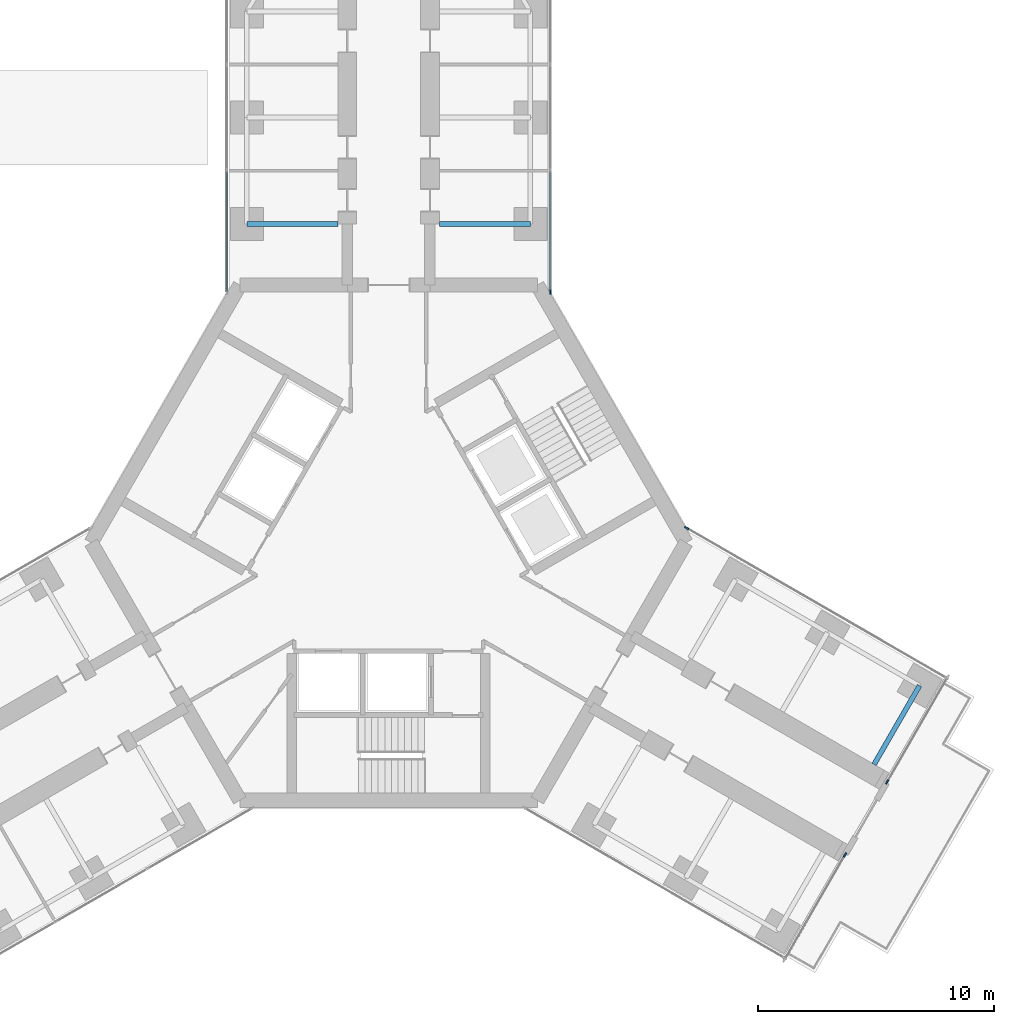
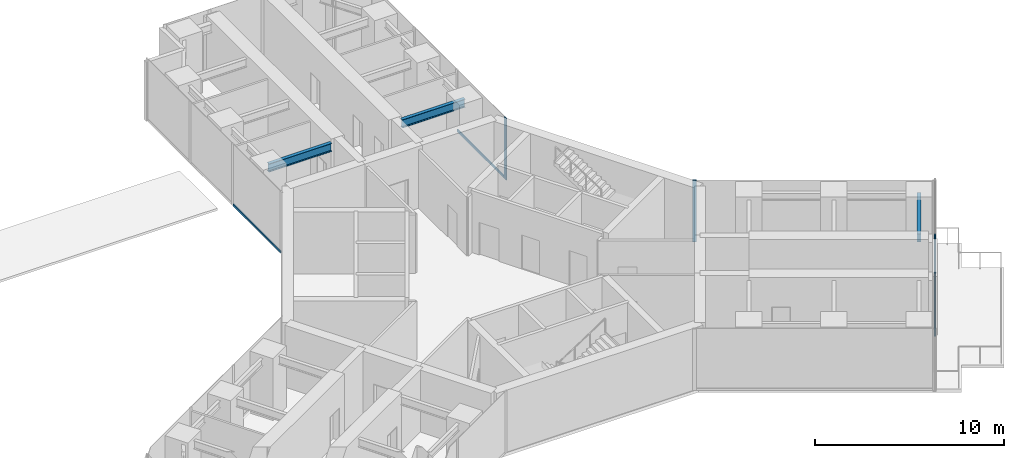
# One storey, part 10 of 22: 6 members, 3 beams, 5 elements without a shape of their own.
"""IFC4 building model written with IfcOpenShell, lengths in metres."""

from ifc_helpers import new_model, si_unit, direction, frame, origin, origin_2d, place, context, subcontext, project, spatial, rectangle, i_section, extrude, material, material_profile, profile_set, type_object, element, aggregate, save


model = new_model("IFC4")

# Units and contexts
model_context = context("Model", 3, precision=1e-05, world=origin(), true_north=direction((0.0, 1.0)))
body_context = subcontext(model_context, "Body", "Model", "MODEL_VIEW")
ifc_project = project(units=[si_unit("LENGTHUNIT", "METRE"), si_unit("AREAUNIT", "SQUARE_METRE"), si_unit("VOLUMEUNIT", "CUBIC_METRE"), si_unit("PLANEANGLEUNIT", "RADIAN"), si_unit("MASSUNIT", "GRAM", prefix="KILO")], contexts=[model_context])

# Site, building, storey
site_placement = place(None, origin())
site = spatial("IfcSite", under=ifc_project, at=site_placement, CompositionType="ELEMENT")
building_placement = place(site_placement, origin())
building = spatial("IfcBuilding", under=site, at=building_placement, Name="Upepo Twin Towers", CompositionType="ELEMENT")
storey_placement = place(building_placement, frame((0.0, 0.0, 97.5)))
storey = spatial("IfcBuildingStorey", under=building, at=storey_placement, Name="L23", CompositionType="ELEMENT", Elevation=97.5)

# Beams
ifc_material_1 = material(Name="Steel S355", Category="steel")
ifc_material_profile_1 = material_profile(ifc_material_1, i_section(OverallWidth=0.209228515625, OverallDepth=0.533203125, WebThickness=0.010009765625, FlangeThickness=0.015625, FilletRadius=0.0126953125, at=origin_2d()), Name="UB 533x210x92")
ifc_profile_set_1 = profile_set([ifc_material_profile_1], Name="Steel S355")
beam_type = type_object("IfcBeamType", Name="Beam UB 533x210x92", PredefinedType="BEAM", material=ifc_profile_set_1)
for number, where, z_axis, x_axis, name in (
    (1, (52.5, -4.5, 3.533447265625), (1.0, 0.0, 0.0), (0.0, 1.0, 0.0), "T2 girder AL at 13.5"),
    (2, (64.5, -4.5, 3.533447265625), (-1.0, 0.0, 0.0), (0.0, -1.0, 0.0), "T2 girder AR at 13.5"),
):
    element("IfcBeam", number, at=place(storey_placement, frame(where, z_axis=z_axis, x_axis=x_axis)), inside=storey, type_object=beam_type, Name=name, PredefinedType="BEAM", context=body_context, shape_type="SweptSolid", body=[
        extrude(i_section(OverallWidth=0.209228515625, OverallDepth=0.533203125, WebThickness=0.010009765625, FlangeThickness=0.015625, FilletRadius=0.0126953125, at=origin_2d()), origin(), (0.0, 0.0, 1.0), 3.85009765625),
    ])
beam_placement = place(storey_placement, frame((80.985595703125, -24.053955078125, 3.533447265625), z_axis=(-0.500033517596, -0.866006051527, 0.0), x_axis=(0.866006051527, -0.500033517596, 0.0)))
element("IfcBeam", 3, at=beam_placement, inside=storey, type_object=beam_type, Name="T2 girder CL at 22.5", PredefinedType="BEAM", context=body_context, shape_type="SweptSolid", body=[
    extrude(i_section(OverallWidth=0.209228515625, OverallDepth=0.533203125, WebThickness=0.010009765625, FlangeThickness=0.015625, FilletRadius=0.0126953125, at=origin_2d()), origin(), (0.0, 0.0, 1.0), 3.849853515625),
])

# Curtain wall, member
ifc_material_2 = material(Name="Aluminium and fritted glass", Category="aluminium")
curtain_wall_type = type_object("IfcCurtainWallType", Name="Tower curtain wall TW2, fritted glass", PredefinedType="NOTDEFINED", material=ifc_material_2)
curtain_wall_1_placement = place(storey_placement, origin())
curtain_wall_1 = element("IfcCurtainWall", 4, at=curtain_wall_1_placement, inside=storey, type_object=curtain_wall_type, Name="T2 L23 wing A flank R curtain wall", PredefinedType="NOTDEFINED")
ifc_material_3 = material(Name="Aluminium mullion", Category="aluminium")
ifc_material_profile_2 = material_profile(ifc_material_3, rectangle(XDim=0.06494140625, YDim=0.199951171875, at=origin_2d()), Name="MULLION 65x200")
ifc_profile_set_2 = profile_set([ifc_material_profile_2], Name="Aluminium mullion")
member_type_1 = type_object("IfcMemberType", Name="Mullion 65x200 TW2", PredefinedType="MULLION", material=ifc_profile_set_2)
member_1_placement = place(storey_placement, frame((65.35009765625, -7.38037109375, 0.0), z_axis=(0.0, 0.0, 1.0), x_axis=(1.0, 0.0, 0.0)))
member_1 = element("IfcMember", 5, at=member_1_placement, type_object=member_type_1, Name="T2 L23 wing A flank R curtain wall mullion 4", PredefinedType="MULLION", context=body_context, shape_type="SweptSolid", body=[
    extrude(rectangle(XDim=0.06494140625, YDim=0.199951171875, at=origin_2d()), origin(), (0.0, 0.0, 1.0), 4.0),
])

curtain_wall_2_placement = place(storey_placement, origin())
curtain_wall_2 = element("IfcCurtainWall", 6, at=curtain_wall_2_placement, inside=storey, type_object=curtain_wall_type, Name="T2 L23 wing C flank L curtain wall", PredefinedType="NOTDEFINED")
member_2_placement = place(storey_placement, frame((71.121826171875, -17.37744140625, 0.0), z_axis=(0.0, 0.0, 1.0), x_axis=(0.50000000792, 0.866025399212, 0.0)))
member_2 = element("IfcMember", 7, at=member_2_placement, type_object=member_type_1, Name="T2 L23 wing C flank L curtain wall mullion 1", PredefinedType="MULLION", context=body_context, shape_type="SweptSolid", body=[
    extrude(rectangle(XDim=0.06494140625, YDim=0.199951171875, at=origin_2d()), origin(), (0.0, 0.0, 1.0), 4.0),
])
aggregate(curtain_wall_2, [member_2])

curtain_wall_3_placement = place(storey_placement, origin())
curtain_wall_3 = element("IfcCurtainWall", 8, at=curtain_wall_3_placement, inside=storey, type_object=curtain_wall_type, Name="T2 L23 wing C nose curtain wall 0", PredefinedType="NOTDEFINED")
member_3_placement = place(storey_placement, frame((77.830322265625, -31.21875, 0.0), z_axis=(0.0, 0.0, 1.0), x_axis=(-0.866025447069, 0.49999992503, 0.0)))
member_3 = element("IfcMember", 9, at=member_3_placement, type_object=member_type_1, Name="T2 L23 wing C nose curtain wall 0 mullion 2", PredefinedType="MULLION", context=body_context, shape_type="SweptSolid", body=[
    extrude(rectangle(XDim=0.06494140625, YDim=0.199951171875, at=origin_2d()), origin(), (0.0, 0.0, 1.0), 4.0),
])
aggregate(curtain_wall_3, [member_3])

curtain_wall_4_placement = place(storey_placement, origin())
curtain_wall_4 = element("IfcCurtainWall", 10, at=curtain_wall_4_placement, inside=storey, type_object=curtain_wall_type, Name="T2 L23 wing C nose curtain wall 2", PredefinedType="NOTDEFINED")
member_4_placement = place(storey_placement, frame((79.613037109375, -28.13134765625, 0.0), z_axis=(0.0, 0.0, 1.0), x_axis=(-0.866025447069, 0.49999992503, 0.0)))
member_4 = element("IfcMember", 11, at=member_4_placement, type_object=member_type_1, Name="T2 L23 wing C nose curtain wall 2 mullion 1", PredefinedType="MULLION", context=body_context, shape_type="SweptSolid", body=[
    extrude(rectangle(XDim=0.06494140625, YDim=0.199951171875, at=origin_2d()), origin(), (0.0, 0.0, 1.0), 4.0),
])
aggregate(curtain_wall_4, [member_4])

curtain_wall_5_placement = place(storey_placement, origin())
curtain_wall_5 = element("IfcCurtainWall", 12, at=curtain_wall_5_placement, inside=storey, type_object=curtain_wall_type, Name="T2 L23 wing A flank L curtain wall", PredefinedType="NOTDEFINED")
ifc_material_4 = material(Name="Aluminium transom", Category="aluminium")
ifc_material_profile_3 = material_profile(ifc_material_4, rectangle(XDim=0.06494140625, YDim=0.14990234375, at=origin_2d()), Name="TRANSOM 65x150")
ifc_profile_set_3 = profile_set([ifc_material_profile_3], Name="Aluminium transom")
member_type_2 = type_object("IfcMemberType", Name="Transom 65x150 TW2", PredefinedType="USERDEFINED", material=ifc_profile_set_3)
member_5_placement = place(storey_placement, frame((51.64990234375, -7.347900390625, 0.074951171875), z_axis=(0.0, 1.0, 0.0), x_axis=(-1.0, 0.0, 0.0)))
member_5 = element("IfcMember", 13, at=member_5_placement, type_object=member_type_2, Name="T2 L23 wing A flank L curtain wall transom 1", ObjectType="TRANSOM", PredefinedType="USERDEFINED", context=body_context, shape_type="SweptSolid", body=[
    extrude(rectangle(XDim=0.06494140625, YDim=0.14990234375, at=origin_2d()), origin(), (0.0, 0.0, 1.0), 5.0654296875),
])
aggregate(curtain_wall_5, [member_5])

# Member
member_6_placement = place(storey_placement, frame((65.35009765625, -2.282470703125, 0.074951171875), z_axis=(0.0, -1.0, 0.0), x_axis=(1.0, 0.0, 0.0)))
member_6 = element("IfcMember", 14, at=member_6_placement, type_object=member_type_2, Name="T2 L23 wing A flank R curtain wall transom 3", ObjectType="TRANSOM", PredefinedType="USERDEFINED", context=body_context, shape_type="SweptSolid", body=[
    extrude(rectangle(XDim=0.06494140625, YDim=0.14990234375, at=origin_2d()), origin(), (0.0, 0.0, 1.0), 5.0654296875),
])

aggregate(curtain_wall_1, [member_1, member_6])

save(model, "model.ifc")
